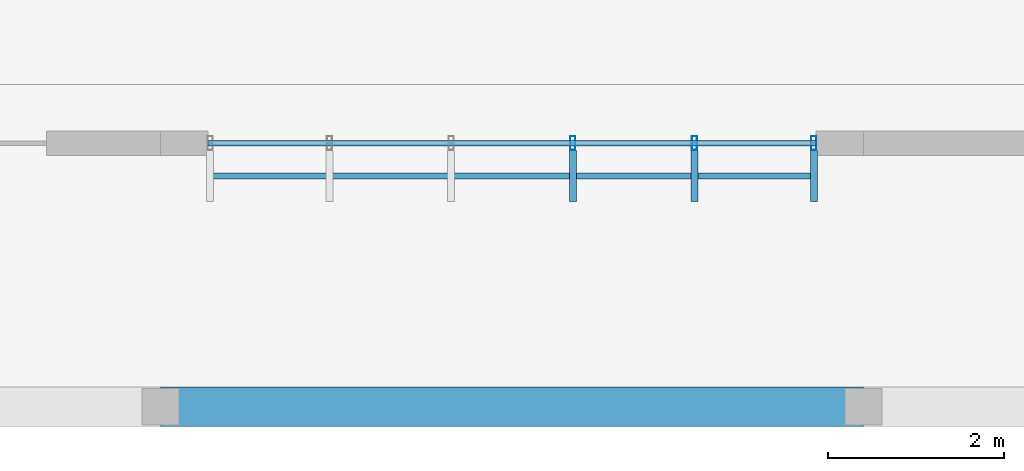
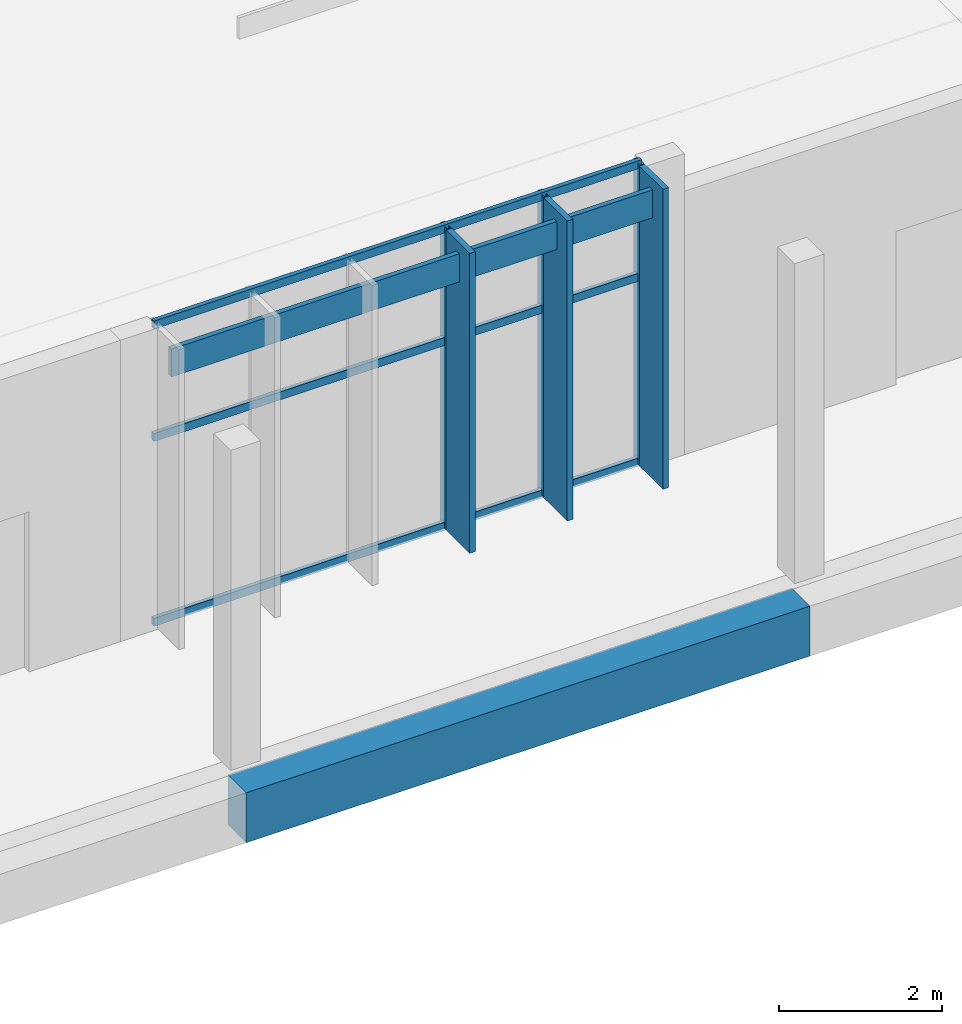
# One storey, part 15 of 151: 10 members, 1 beam, 1 element without a shape of its own.
"""IFC4 building model written with IfcOpenShell, lengths in metres."""

from ifc_helpers import new_model, si_unit, direction, frame, origin, origin_2d, place, context, subcontext, project, spatial, rectangle, hollow_rectangle, extrude, material, material_profile, profile_set, type_object, element, aggregate, save


model = new_model("IFC4")

# Units and contexts
model_context = context("Model", 3, precision=1e-05, world=origin(), true_north=direction((0.0, 1.0)))
body_context = subcontext(model_context, "Body", "Model", "MODEL_VIEW")
ifc_project = project(units=[si_unit("LENGTHUNIT", "METRE"), si_unit("AREAUNIT", "SQUARE_METRE"), si_unit("VOLUMEUNIT", "CUBIC_METRE"), si_unit("PLANEANGLEUNIT", "RADIAN"), si_unit("MASSUNIT", "GRAM", prefix="KILO")], contexts=[model_context])

# Site, building, storey
site_placement = place(None, origin())
site = spatial("IfcSite", under=ifc_project, at=site_placement, CompositionType="ELEMENT")
building_placement = place(site_placement, origin())
building = spatial("IfcBuilding", under=site, at=building_placement, Name="Chiffa Square Polytechnic", CompositionType="ELEMENT")
storey_placement = place(building_placement, origin())
storey = spatial("IfcBuildingStorey", under=building, at=storey_placement, Name="L00", CompositionType="ELEMENT", Elevation=0.0)

# Curtain wall, members
ifc_material_1 = material(Name="Aluminium EN AW-6060 T66 and glulam shading", Category="wood")
curtain_wall_type = type_object("IfcCurtainWallType", Name="CW-VERT-480X380", PredefinedType="USERDEFINED", material=ifc_material_1)
curtain_wall_placement = place(storey_placement, origin())
curtain_wall = element("IfcCurtainWall", 1, at=curtain_wall_placement, inside=storey, type_object=curtain_wall_type, Name="Curtain wall CW-V3-L00-150", ObjectType="CURTAIN WALL", PredefinedType="USERDEFINED")
ifc_material_2 = material(Name="Aluminium EN AW-6060 T66", Category="aluminium")
ifc_material_profile_1 = material_profile(ifc_material_2, hollow_rectangle(XDim=0.06005859375, YDim=0.159912109375, WallThickness=0.00390625, at=origin_2d()), Name="ALU 60x160x4")
ifc_profile_set_1 = profile_set([ifc_material_profile_1], Name="Aluminium EN AW-6060 T66")
member_type_1 = type_object("IfcMemberType", Name="CWM-ALU-65X150", PredefinedType="MULLION", material=ifc_profile_set_1)
member_1_placement = place(storey_placement, frame((12.69189453125, 3.0, 0.0), z_axis=(0.0, 0.0, 1.0), x_axis=(1.0, 0.0, 0.0)))
member_1 = element("IfcMember", 2, at=member_1_placement, type_object=member_type_1, Name="Curtain wall mullion CW-V3-L00-150-M03", PredefinedType="MULLION", context=body_context, shape_type="SweptSolid", body=[
    extrude(hollow_rectangle(XDim=0.06005859375, YDim=0.159912109375, WallThickness=0.00390625, at=origin_2d()), origin(), (0.0, 0.0, 1.0), 4.52001953125),
])
member_2_placement = place(storey_placement, frame((14.075927734375, 3.0, 0.0), z_axis=(0.0, 0.0, 1.0), x_axis=(1.0, 0.0, 0.0)))
member_2 = element("IfcMember", 3, at=member_2_placement, type_object=member_type_1, Name="Curtain wall mullion CW-V3-L00-150-M04", PredefinedType="MULLION", context=body_context, shape_type="SweptSolid", body=[
    extrude(hollow_rectangle(XDim=0.06005859375, YDim=0.159912109375, WallThickness=0.00390625, at=origin_2d()), origin(), (0.0, 0.0, 1.0), 4.52001953125),
])
member_3_placement = place(storey_placement, frame((15.43505859375, 3.0, 0.0), z_axis=(0.0, 0.0, 1.0), x_axis=(1.0, 0.0, 0.0)))
member_3 = element("IfcMember", 4, at=member_3_placement, type_object=member_type_1, Name="Curtain wall mullion CW-V3-L00-150-M05", PredefinedType="MULLION", context=body_context, shape_type="SweptSolid", body=[
    extrude(hollow_rectangle(XDim=0.06005859375, YDim=0.159912109375, WallThickness=0.00390625, at=origin_2d()), origin(), (0.0, 0.0, 1.0), 4.52001953125),
])
ifc_material_3 = material(Name="Glulam GL28h", Category="wood")
ifc_material_profile_2 = material_profile(ifc_material_3, rectangle(XDim=0.080078125, YDim=0.580078125, at=origin_2d()), Name="GL28h 80x580")
ifc_profile_set_2 = profile_set([ifc_material_profile_2], Name="Glulam GL28h")
member_type_2 = type_object("IfcMemberType", Name="CWM-GL-80X580", PredefinedType="MULLION", material=ifc_profile_set_2)
member_4_placement = place(storey_placement, frame((12.69189453125, 2.6279296875, 0.010009765625), z_axis=(0.0, 0.0, 1.0), x_axis=(1.0, 0.0, 0.0)))
member_4 = element("IfcMember", 5, at=member_4_placement, type_object=member_type_2, Name="Exterior glulam solar fin CW-V3-L00-150-FN03", PredefinedType="MULLION", context=body_context, shape_type="SweptSolid", body=[
    extrude(rectangle(XDim=0.080078125, YDim=0.580078125, at=origin_2d()), origin(), (0.0, 0.0, 1.0), 4.5),
])
member_5_placement = place(storey_placement, frame((14.075927734375, 2.6279296875, 0.010009765625), z_axis=(0.0, 0.0, 1.0), x_axis=(1.0, 0.0, 0.0)))
member_5 = element("IfcMember", 6, at=member_5_placement, type_object=member_type_2, Name="Exterior glulam solar fin CW-V3-L00-150-FN04", PredefinedType="MULLION", context=body_context, shape_type="SweptSolid", body=[
    extrude(rectangle(XDim=0.080078125, YDim=0.580078125, at=origin_2d()), origin(), (0.0, 0.0, 1.0), 4.5),
])
member_6_placement = place(storey_placement, frame((15.43505859375, 2.6279296875, 0.010009765625), z_axis=(0.0, 0.0, 1.0), x_axis=(1.0, 0.0, 0.0)))
member_6 = element("IfcMember", 7, at=member_6_placement, type_object=member_type_2, Name="Exterior glulam solar fin CW-V3-L00-150-FN05", PredefinedType="MULLION", context=body_context, shape_type="SweptSolid", body=[
    extrude(rectangle(XDim=0.080078125, YDim=0.580078125, at=origin_2d()), origin(), (0.0, 0.0, 1.0), 4.5),
])
ifc_material_profile_3 = material_profile(ifc_material_2, hollow_rectangle(XDim=0.06005859375, YDim=0.1201171875, WallThickness=0.00390625, at=origin_2d()), Name="ALU 60x120x4")
ifc_profile_set_3 = profile_set([ifc_material_profile_3], Name="Aluminium EN AW-6060 T66")
member_type_3 = type_object("IfcMemberType", Name="CWT-ALU-65X120", PredefinedType="USERDEFINED", material=ifc_profile_set_3)
member_7_placement = place(storey_placement, frame((8.5380859375, 3.0, 0.030029296875), z_axis=(1.0, 0.0, 0.0), x_axis=(0.0, 1.0, 0.0)))
member_7 = element("IfcMember", 8, at=member_7_placement, type_object=member_type_3, Name="Curtain wall transom CW-V3-L00-150-T01", ObjectType="TRANSOM", PredefinedType="USERDEFINED", context=body_context, shape_type="SweptSolid", body=[
    extrude(hollow_rectangle(XDim=0.06005859375, YDim=0.1201171875, WallThickness=0.00390625, at=origin_2d()), origin(), (0.0, 0.0, 1.0), 6.923828125),
])
member_8_placement = place(storey_placement, frame((8.5380859375, 3.0, 2.802001953125), z_axis=(1.0, 0.0, 0.0), x_axis=(0.0, 1.0, 0.0)))
member_8 = element("IfcMember", 9, at=member_8_placement, type_object=member_type_3, Name="Curtain wall transom CW-V3-L00-150-T02", ObjectType="TRANSOM", PredefinedType="USERDEFINED", context=body_context, shape_type="SweptSolid", body=[
    extrude(hollow_rectangle(XDim=0.06005859375, YDim=0.1201171875, WallThickness=0.00390625, at=origin_2d()), origin(), (0.0, 0.0, 1.0), 6.923828125),
])
member_9_placement = place(storey_placement, frame((8.5380859375, 3.0, 4.489990234375), z_axis=(1.0, 0.0, 0.0), x_axis=(0.0, 1.0, 0.0)))
member_9 = element("IfcMember", 10, at=member_9_placement, type_object=member_type_3, Name="Curtain wall transom CW-V3-L00-150-T03", ObjectType="TRANSOM", PredefinedType="USERDEFINED", context=body_context, shape_type="SweptSolid", body=[
    extrude(hollow_rectangle(XDim=0.06005859375, YDim=0.1201171875, WallThickness=0.00390625, at=origin_2d()), origin(), (0.0, 0.0, 1.0), 6.923828125),
])
ifc_material_profile_4 = material_profile(ifc_material_3, rectangle(XDim=0.070068359375, YDim=0.419921875, at=origin_2d()), Name="GL28h 70x420")
ifc_profile_set_4 = profile_set([ifc_material_profile_4], Name="Glulam GL28h")
member_type_4 = type_object("IfcMemberType", Name="CWT-GL-70X420", PredefinedType="USERDEFINED", material=ifc_profile_set_4)
member_10_placement = place(storey_placement, frame((8.56494140625, 2.6279296875, 4.139892578125), z_axis=(1.0, 0.0, 0.0), x_axis=(0.0, 1.0, 0.0)))
member_10 = element("IfcMember", 11, at=member_10_placement, type_object=member_type_4, Name="Exterior glulam brise-soleil CW-V3-L00-150-BS01", ObjectType="TRANSOM", PredefinedType="USERDEFINED", context=body_context, shape_type="SweptSolid", body=[
    extrude(rectangle(XDim=0.070068359375, YDim=0.419921875, at=origin_2d()), origin(), (0.0, 0.0, 1.0), 6.8701171875),
])
aggregate(curtain_wall, [member_1, member_4, member_2, member_5, member_3, member_6, member_7, member_8, member_9, member_10])

# Beam
ifc_material_4 = material(Name="Concrete C35/45", Category="concrete")
ifc_material_profile_5 = material_profile(ifc_material_4, rectangle(XDim=0.449951171875, YDim=0.75, at=origin_2d()), Name="RC 450x750")
ifc_profile_set_5 = profile_set([ifc_material_profile_5], Name="Concrete C35/45")
beam_type = type_object("IfcBeamType", Name="GB-RC-450X750", PredefinedType="BEAM", material=ifc_profile_set_5)
beam_placement = place(storey_placement, frame((8.0, 0.0, -0.77490234375), z_axis=(1.0, 0.0, 0.0), x_axis=(0.0, 1.0, 0.0)))
element("IfcBeam", 12, at=beam_placement, inside=storey, type_object=beam_type, Name="Ground tie beam GB-V3-X-045", PredefinedType="BEAM", context=body_context, shape_type="SweptSolid", body=[
    extrude(rectangle(XDim=0.449951171875, YDim=0.75, at=origin_2d()), origin(), (0.0, 0.0, 1.0), 8.0),
])

save(model, "model.ifc")
